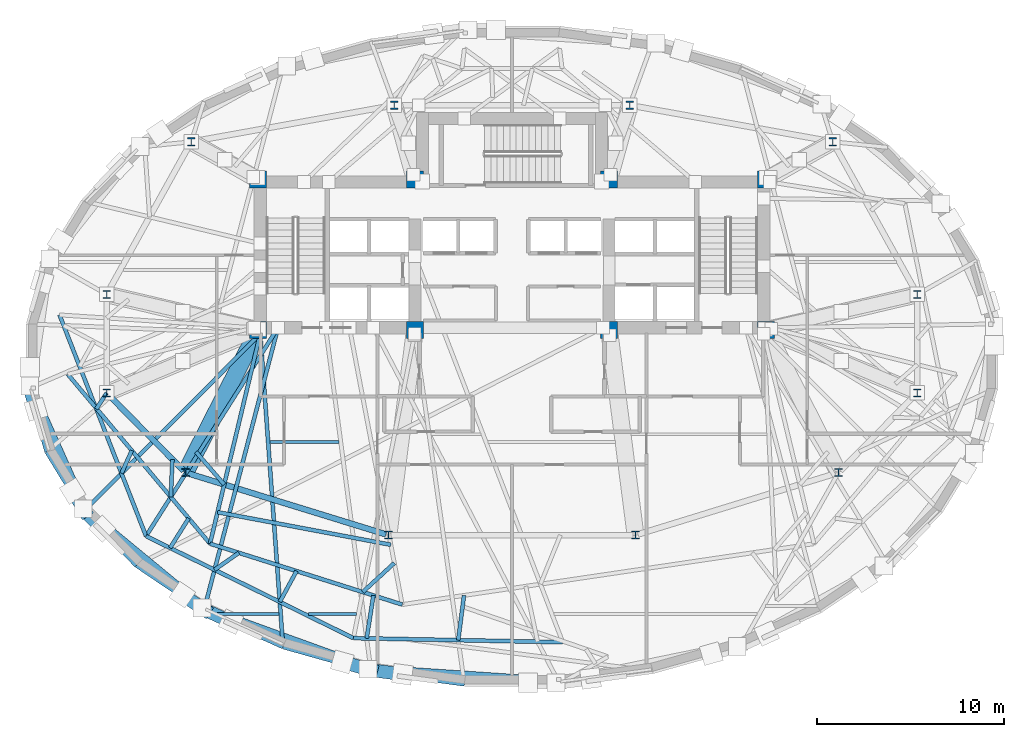
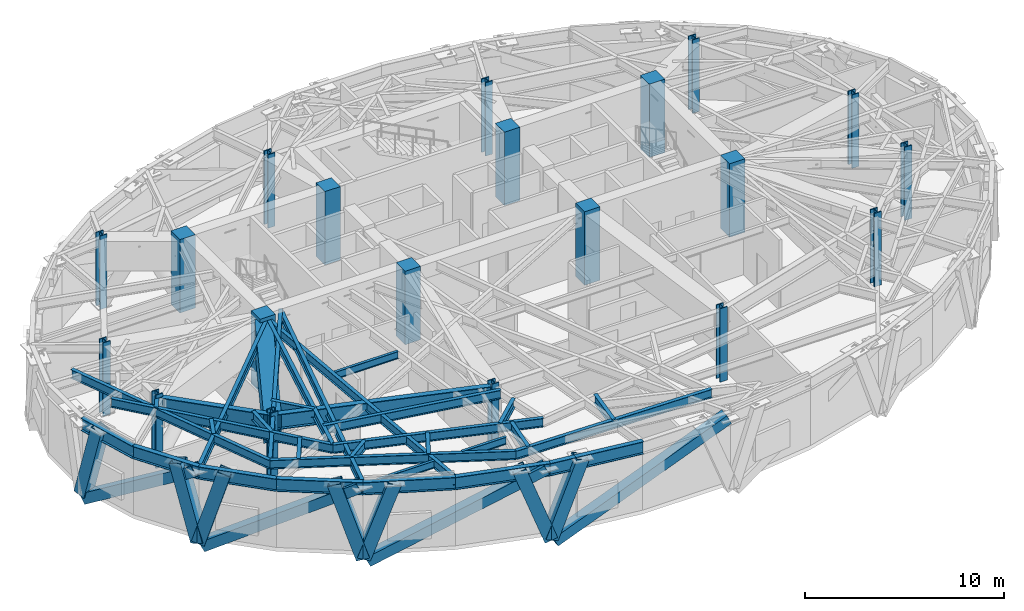
# One storey, part 1 of 13: 34 beams, 20 columns, 11 members.
"""IFC4 building model written with IfcOpenShell, lengths in metres."""

from ifc_helpers import new_model, si_unit, direction, frame, origin, origin_2d, place, context, subcontext, project, spatial, rectangle, hollow_rectangle, i_section, extrude, material, material_profile, profile_set, type_object, element, save


model = new_model("IFC4")

# Units and contexts
model_context = context("Model", 3, precision=1e-05, world=origin(), true_north=direction((0.0, 1.0)))
body_context = subcontext(model_context, "Body", "Model", "MODEL_VIEW")
ifc_project = project(units=[si_unit("LENGTHUNIT", "METRE"), si_unit("AREAUNIT", "SQUARE_METRE"), si_unit("VOLUMEUNIT", "CUBIC_METRE"), si_unit("PLANEANGLEUNIT", "RADIAN"), si_unit("MASSUNIT", "GRAM", prefix="KILO")], contexts=[model_context])

# Site, building, storey
site_placement = place(None, origin())
site = spatial("IfcSite", under=ifc_project, at=site_placement, CompositionType="ELEMENT")
building_placement = place(site_placement, origin())
building = spatial("IfcBuilding", under=site, at=building_placement, Name="Keldmark Tower", CompositionType="ELEMENT")
storey_placement = place(building_placement, frame((0.0, 0.0, 135.10009765625)))
storey = spatial("IfcBuildingStorey", under=building, at=storey_placement, Name="L36", CompositionType="ELEMENT", Elevation=135.10009765625)

# Columns
ifc_material_1 = material(Name="Concrete C50/60", Category="concrete")
ifc_material_profile_1 = material_profile(ifc_material_1, rectangle(XDim=0.89990234375, YDim=0.89990234375, at=origin_2d()), Name="RC900X900")
ifc_profile_set_1 = profile_set([ifc_material_profile_1], Name="Concrete C50/60")
column_type_1 = type_object("IfcColumnType", Name="Core Boundary Column RC900", PredefinedType="COLUMN", material=ifc_profile_set_1)
for number, where, z_axis, x_axis, name in (
    (1, (-13.60009765625, 1.39990234375, 0.0), (0.0, 0.0, 1.0), (1.0, 0.0, 0.0), "L36 Core Boundary Column CC-W1"),
    (2, (-13.60009765625, 9.449951171875, 0.0), (0.0, 0.0, 1.0), (1.0, 0.0, 0.0), "L36 Core Boundary Column CC-W2"),
    (3, (-5.199951171875, 1.39990234375, 0.0), (0.0, 0.0, 1.0), (1.0, 0.0, 0.0), "L36 Core Boundary Column CC-W3"),
    (4, (-5.199951171875, 9.449951171875, 0.0), (0.0, 0.0, 1.0), (1.0, 0.0, 0.0), "L36 Core Boundary Column CC-W4"),
    (5, (5.199951171875, 1.39990234375, 0.0), (0.0, 0.0, 1.0), (1.0, 0.0, 0.0), "L36 Core Boundary Column CC-E1"),
    (6, (5.199951171875, 9.449951171875, 0.0), (0.0, 0.0, 1.0), (1.0, 0.0, 0.0), "L36 Core Boundary Column CC-E2"),
    (7, (13.60009765625, 1.39990234375, 0.0), (0.0, 0.0, 1.0), (1.0, 0.0, 0.0), "L36 Core Boundary Column CC-E3"),
    (8, (13.60009765625, 9.449951171875, 0.0), (0.0, 0.0, 1.0), (1.0, 0.0, 0.0), "L36 Core Boundary Column CC-E4"),
):
    element("IfcColumn", number, at=place(storey_placement, frame(where, z_axis=z_axis, x_axis=x_axis)), inside=storey, type_object=column_type_1, Name=name, PredefinedType="COLUMN", context=body_context, shape_type="SweptSolid", body=[
        extrude(rectangle(XDim=0.89990234375, YDim=0.89990234375, at=origin_2d()), origin(), (0.0, 0.0, 1.0), 4.5),
    ])
ifc_material_2 = material(Name="Steel ASTM A992 Grade 50", Category="steel")
ifc_material_profile_2 = material_profile(ifc_material_2, i_section(OverallWidth=0.412109375, OverallDepth=0.43505859375, WebThickness=0.035888671875, FlangeThickness=0.057373046875, at=origin_2d()), Name="W14X311")
ifc_profile_set_2 = profile_set([ifc_material_profile_2], Name="Steel ASTM A992 Grade 50")
column_type_2 = type_object("IfcColumnType", Name="Tower Gravity Column W14X311", PredefinedType="COLUMN", material=ifc_profile_set_2)
for number, where, z_axis, x_axis, name in (
    (9, (21.697021484375, 3.309814453125, 0.0), (0.0, 0.0, 1.0), (1.0, 0.0, 0.0), "L36 Tower Gravity Column TC-E1"),
    (10, (17.1669921875, 11.478271484375, 0.0), (0.0, 0.0, 1.0), (1.0, 0.0, 0.0), "L36 Tower Gravity Column TC-E4"),
    (11, (6.298828125, 13.4326171875, 0.0), (0.0, 0.0, 1.0), (1.0, 0.0, 0.0), "L36 Tower Gravity Column TC-N2"),
    (12, (-6.298828125, 13.4326171875, 0.0), (0.0, 0.0, 1.0), (1.0, 0.0, 0.0), "L36 Tower Gravity Column TC-N1"),
    (13, (-17.1669921875, 11.478271484375, 0.0), (0.0, 0.0, 1.0), (1.0, 0.0, 0.0), "L36 Tower Gravity Column TC-W4"),
    (14, (-21.697021484375, 3.309814453125, 0.0), (0.0, 0.0, 1.0), (1.0, 0.0, 0.0), "L36 Tower Gravity Column TC-W1"),
    (15, (-21.697021484375, -1.9658203125, 0.0), (0.0, 0.0, 1.0), (1.0, 0.0, 0.0), "L36 Tower Gravity Column TC-W5"),
    (16, (-17.477294921875, -6.2294921875, 0.0), (0.0, 0.0, 1.0), (1.0, 0.0, 0.0), "L36 Tower Gravity Column TC-W2"),
    (17, (-6.61279296875, -9.579345703125, 0.0), (0.0, 0.0, 1.0), (1.0, 0.0, 0.0), "L36 Tower Gravity Column TC-W3"),
    (18, (6.61279296875, -9.579345703125, 0.0), (0.0, 0.0, 1.0), (1.0, 0.0, 0.0), "L36 Tower Gravity Column TC-E3"),
    (19, (17.477294921875, -6.2294921875, 0.0), (0.0, 0.0, 1.0), (1.0, 0.0, 0.0), "L36 Tower Gravity Column TC-E2"),
    (20, (21.697021484375, -1.9658203125, 0.0), (0.0, 0.0, 1.0), (1.0, 0.0, 0.0), "L36 Tower Gravity Column TC-E5"),
):
    element("IfcColumn", number, at=place(storey_placement, frame(where, z_axis=z_axis, x_axis=x_axis)), inside=storey, type_object=column_type_2, Name=name, PredefinedType="COLUMN", context=body_context, shape_type="SweptSolid", body=[
        extrude(i_section(OverallWidth=0.412109375, OverallDepth=0.43505859375, WebThickness=0.035888671875, FlangeThickness=0.057373046875, at=origin_2d()), origin(), (0.0, 0.0, 1.0), 4.5),
    ])

# Members
ifc_material_3 = material(Name="Steel ASTM A572 Grade 50", Category="steel")
ifc_material_profile_3 = material_profile(ifc_material_3, hollow_rectangle(XDim=0.60009765625, YDim=0.60009765625, WallThickness=0.034912109375, at=origin_2d()), Name="BOX600X600X35")
ifc_profile_set_3 = profile_set([ifc_material_profile_3], Name="Steel ASTM A572 Grade 50")
member_type_1 = type_object("IfcMemberType", Name="Belt Truss Diagonal Brace BOX600", PredefinedType="BRACE", material=ifc_profile_set_3)
member_1_placement = place(storey_placement, frame((-25.775390625, -1.856689453125, -0.5400390625), z_axis=(0.342162647454, -0.763640785008, 0.547519382451), x_axis=(0.912580273099, 0.408897597388, 0.0)))
element("IfcMember", 21, at=member_1_placement, inside=storey, type_object=member_type_1, Name="L36 Perimeter Belt Truss Brace 09", PredefinedType="BRACE", context=body_context, shape_type="SweptSolid", body=[
    extrude(hollow_rectangle(XDim=0.60009765625, YDim=0.60009765625, WallThickness=0.034912109375, at=origin_2d()), origin(), (0.0, 0.0, 1.0), 8.25537109375),
])
member_2_placement = place(storey_placement, frame((-22.763916015625, -8.392578125, -0.5400390625), z_axis=(0.671604255957, -0.554100077788, 0.491854477642), x_axis=(0.636401110122, 0.771358300037, 0.0)))
element("IfcMember", 22, at=member_2_placement, inside=storey, type_object=member_type_1, Name="L36 Perimeter Belt Truss Brace 10", PredefinedType="BRACE", context=body_context, shape_type="SweptSolid", body=[
    extrude(hollow_rectangle(XDim=0.60009765625, YDim=0.60009765625, WallThickness=0.034912109375, at=origin_2d()), origin(), (0.0, 0.0, 1.0), 9.189697265625),
])
member_3_placement = place(storey_placement, frame((-16.28662109375, -13.65087890625, -0.5400390625), z_axis=(0.84258412922, -0.30492721603, 0.443927221638), x_axis=(0.340296685426, 0.940318119515, 0.0)))
element("IfcMember", 23, at=member_3_placement, inside=storey, type_object=member_type_1, Name="L36 Perimeter Belt Truss Brace 11", PredefinedType="BRACE", context=body_context, shape_type="SweptSolid", body=[
    extrude(hollow_rectangle(XDim=0.60009765625, YDim=0.60009765625, WallThickness=0.034912109375, at=origin_2d()), origin(), (0.0, 0.0, 1.0), 10.181884765625),
])
member_4_placement = place(storey_placement, frame((-7.330078125, -16.830810546875, -0.5400390625), z_axis=(0.904448162584, -0.060241799636, 0.422308473483), x_axis=(0.066458883344, 0.997789164516, 0.0)))
element("IfcMember", 24, at=member_4_placement, inside=storey, type_object=member_type_1, Name="L36 Perimeter Belt Truss Brace 12", PredefinedType="BRACE", context=body_context, shape_type="SweptSolid", body=[
    extrude(hollow_rectangle(XDim=0.60009765625, YDim=0.60009765625, WallThickness=0.034912109375, at=origin_2d()), origin(), (0.0, 0.0, 1.0), 10.703125),
])

# Beams
ifc_material_4 = material(Name="Steel ASTM A992 Grade 50", Category="steel")
ifc_material_profile_4 = material_profile(ifc_material_4, i_section(OverallWidth=0.153076171875, OverallDepth=0.455078125, WebThickness=0.008056640625, FlangeThickness=0.01318359375, at=origin_2d()), Name="W18X40")
ifc_profile_set_4 = profile_set([ifc_material_profile_4], Name="Steel ASTM A992 Grade 50")
beam_type_1 = type_object("IfcBeamType", Name="Composite Floor Joist W18X40", PredefinedType="JOIST", material=ifc_profile_set_4)
beam_1_placement = place(storey_placement, frame((-15.78759765625, -13.800048828125, 4.052490234375), z_axis=(1.0, 0.0, 0.0), x_axis=(0.0, 1.0, 0.0)))
element("IfcBeam", 25, at=beam_1_placement, inside=storey, type_object=beam_type_1, Name="L36 Composite Floor Joist J01", PredefinedType="JOIST", context=body_context, shape_type="SweptSolid", body=[
    extrude(i_section(OverallWidth=0.153076171875, OverallDepth=0.455078125, WebThickness=0.008056640625, FlangeThickness=0.01318359375, at=origin_2d()), origin(), (0.0, 0.0, 1.0), 3.308349609375),
])
beam_2_placement = place(storey_placement, frame((-10.888916015625, -13.800048828125, 4.052490234375), z_axis=(1.0, 0.0, 0.0), x_axis=(0.0, 1.0, 0.0)))
element("IfcBeam", 26, at=beam_2_placement, inside=storey, type_object=beam_type_1, Name="L36 Composite Floor Joist J02", PredefinedType="JOIST", context=body_context, shape_type="SweptSolid", body=[
    extrude(i_section(OverallWidth=0.153076171875, OverallDepth=0.455078125, WebThickness=0.008056640625, FlangeThickness=0.01318359375, at=origin_2d()), origin(), (0.0, 0.0, 1.0), 2.563720703125),
])
beam_3_placement = place(storey_placement, frame((-12.95654296875, -4.60009765625, 4.052490234375), z_axis=(1.0, 0.0, 0.0), x_axis=(0.0, 1.0, 0.0)))
element("IfcBeam", 27, at=beam_3_placement, inside=storey, type_object=beam_type_1, Name="L36 Composite Floor Joist J05", PredefinedType="JOIST", context=body_context, shape_type="SweptSolid", body=[
    extrude(i_section(OverallWidth=0.153076171875, OverallDepth=0.455078125, WebThickness=0.008056640625, FlangeThickness=0.01318359375, at=origin_2d()), origin(), (0.0, 0.0, 1.0), 3.693359375),
])

# Members
ifc_material_5 = material(Name="Steel ASTM A572 Grade 50", Category="steel")
ifc_material_profile_5 = material_profile(ifc_material_5, hollow_rectangle(XDim=0.699951171875, YDim=0.699951171875, WallThickness=0.044921875, at=origin_2d()), Name="BOX700X700X45")
ifc_profile_set_5 = profile_set([ifc_material_profile_5], Name="Steel ASTM A572 Grade 50")
member_type_2 = type_object("IfcMemberType", Name="Diagrid Zone 2 Brace BOX700X700X45", PredefinedType="BRACE", material=ifc_profile_set_5)
member_5_placement = place(storey_placement, frame((-25.815185546875, -1.72119140625, -0.320068359375), z_axis=(0.071577130516, -0.243773364239, 0.967187293793), x_axis=(0.959494237083, 0.281728253829, 0.0)))
element("IfcMember", 28, at=member_5_placement, inside=storey, type_object=member_type_2, Name="L36 Perimeter Diagrid Brace 09A", PredefinedType="BRACE", context=body_context, shape_type="SweptSolid", body=[
    extrude(hollow_rectangle(XDim=0.699951171875, YDim=0.699951171875, WallThickness=0.044921875, at=origin_2d()), origin(), (0.0, 0.0, 1.0), 4.632080078125),
])
member_6_placement = place(storey_placement, frame((-22.87255859375, -8.28857421875, -0.320068359375), z_axis=(-0.139810250165, 0.228746999614, 0.963393950633), x_axis=(-0.853247945999, -0.521505457928, 0.0)))
element("IfcMember", 29, at=member_6_placement, inside=storey, type_object=member_type_2, Name="L36 Perimeter Diagrid Brace 09B", PredefinedType="BRACE", context=body_context, shape_type="SweptSolid", body=[
    extrude(hollow_rectangle(XDim=0.699951171875, YDim=0.699951171875, WallThickness=0.044921875, at=origin_2d()), origin(), (0.0, 0.0, 1.0), 4.650146484375),
])
member_7_placement = place(storey_placement, frame((-22.877197265625, -8.277587890625, -0.320068359375), z_axis=(0.201839733277, -0.204710482005, 0.957786166442), x_axis=(0.712082079642, 0.702096226918, 0.0)))
element("IfcMember", 30, at=member_7_placement, inside=storey, type_object=member_type_2, Name="L36 Perimeter Diagrid Brace 10A", PredefinedType="BRACE", context=body_context, shape_type="SweptSolid", body=[
    extrude(hollow_rectangle(XDim=0.699951171875, YDim=0.699951171875, WallThickness=0.044921875, at=origin_2d()), origin(), (0.0, 0.0, 1.0), 4.677490234375),
])
member_8_placement = place(storey_placement, frame((-16.44775390625, -13.582275390625, -0.320068359375), z_axis=(-0.255123346307, 0.172847233609, 0.951333754264), x_axis=(-0.560896502863, -0.82788592999, 0.0)))
element("IfcMember", 31, at=member_8_placement, inside=storey, type_object=member_type_2, Name="L36 Perimeter Diagrid Brace 10B", PredefinedType="BRACE", context=body_context, shape_type="SweptSolid", body=[
    extrude(hollow_rectangle(XDim=0.699951171875, YDim=0.699951171875, WallThickness=0.044921875, at=origin_2d()), origin(), (0.0, 0.0, 1.0), 4.709228515625),
])
member_9_placement = place(storey_placement, frame((-16.4560546875, -13.573974609375, -0.320068359375), z_axis=(0.297968595123, -0.134925288493, 0.944992001472), x_axis=(0.412497692818, 0.910958645285, 0.0)))
element("IfcMember", 32, at=member_9_placement, inside=storey, type_object=member_type_2, Name="L36 Perimeter Diagrid Brace 11A", PredefinedType="BRACE", context=body_context, shape_type="SweptSolid", body=[
    extrude(hollow_rectangle(XDim=0.699951171875, YDim=0.699951171875, WallThickness=0.044921875, at=origin_2d()), origin(), (0.0, 0.0, 1.0), 4.74072265625),
])
member_10_placement = place(storey_placement, frame((-7.51904296875, -16.808349609375, -0.320068359375), z_axis=(-0.329234184816, 0.092384269623, 0.939718041901), x_axis=(-0.270168711569, -0.96281299705, 0.0)))
element("IfcMember", 33, at=member_10_placement, inside=storey, type_object=member_type_2, Name="L36 Perimeter Diagrid Brace 11B", PredefinedType="BRACE", context=body_context, shape_type="SweptSolid", body=[
    extrude(hollow_rectangle(XDim=0.699951171875, YDim=0.699951171875, WallThickness=0.044921875, at=origin_2d()), origin(), (0.0, 0.0, 1.0), 4.767333984375),
])
member_11_placement = place(storey_placement, frame((-7.530029296875, -16.803955078125, -0.320068359375), z_axis=(0.34821903324, -0.04693941547, 0.936237254207), x_axis=(0.133590287898, 0.991036646638, 0.0)))
element("IfcMember", 34, at=member_11_placement, inside=storey, type_object=member_type_2, Name="L36 Perimeter Diagrid Brace 12A", PredefinedType="BRACE", context=body_context, shape_type="SweptSolid", body=[
    extrude(hollow_rectangle(XDim=0.699951171875, YDim=0.699951171875, WallThickness=0.044921875, at=origin_2d()), origin(), (0.0, 0.0, 1.0), 4.78515625),
])

# Beams
ifc_material_6 = material(Name="Steel ASTM A992 Grade 50", Category="steel")
ifc_material_profile_6 = material_profile(ifc_material_6, i_section(OverallWidth=0.31005859375, OverallDepth=0.931884765625, WebThickness=0.02099609375, FlangeThickness=0.034423828125, at=origin_2d()), Name="W36X210")
ifc_profile_set_6 = profile_set([ifc_material_profile_6], Name="Steel ASTM A992 Grade 50")
beam_type_2 = type_object("IfcBeamType", Name="Outrigger Chord Girder W36X210", PredefinedType="BEAM", material=ifc_profile_set_6)
beam_4_placement = place(storey_placement, frame((-21.598388671875, -2.0654296875, 3.81396484375), z_axis=(0.703425791323, -0.71076870788, 0.0), x_axis=(0.71076870788, 0.703425791323, 0.0)))
element("IfcBeam", 35, at=beam_4_placement, inside=storey, type_object=beam_type_2, Name="L36 Floor Ring Girder FG-R07", PredefinedType="BEAM", context=body_context, shape_type="SweptSolid", body=[
    extrude(i_section(OverallWidth=0.31005859375, OverallDepth=0.931884765625, WebThickness=0.02099609375, FlangeThickness=0.034423828125, at=origin_2d()), origin(), (0.0, 0.0, 1.0), 5.71875),
])
beam_5_placement = place(storey_placement, frame((-17.343505859375, -6.270751953125, 3.81396484375), z_axis=(0.955607954968, -0.294641199432, 0.0), x_axis=(0.294641199432, 0.955607954968, 0.0)))
element("IfcBeam", 36, at=beam_5_placement, inside=storey, type_object=beam_type_2, Name="L36 Floor Ring Girder FG-R08", PredefinedType="BEAM", context=body_context, shape_type="SweptSolid", body=[
    extrude(i_section(OverallWidth=0.31005859375, OverallDepth=0.931884765625, WebThickness=0.02099609375, FlangeThickness=0.034423828125, at=origin_2d()), origin(), (0.0, 0.0, 1.0), 11.089111328125),
])
ifc_material_7 = material(Name="Steel ASTM A572 Grade 50", Category="steel")
ifc_material_profile_7 = material_profile(ifc_material_7, hollow_rectangle(XDim=0.89990234375, YDim=1.800048828125, WallThickness=0.074951171875, at=origin_2d()), Name="TBOX1800X900X75")
ifc_profile_set_7 = profile_set([ifc_material_profile_7], Name="Steel ASTM A572 Grade 50")
beam_type_3 = type_object("IfcBeamType", Name="Perimeter Transfer Box Girder 1800x900", PredefinedType="USERDEFINED", material=ifc_profile_set_7)
beam_6_placement = place(storey_placement, frame((-17.477294921875, -6.2294921875, 3.3798828125), z_axis=(0.453055227468, 0.891482451237, 0.0), x_axis=(-0.891482451237, 0.453055227468, 0.0)))
element("IfcBeam", 37, at=beam_6_placement, inside=storey, type_object=beam_type_3, Name="L36 Upper Crown Transfer Box Girder UTB-TC-W2", ObjectType="TRANSFER GIRDER", PredefinedType="USERDEFINED", context=body_context, shape_type="SweptSolid", body=[
    extrude(hollow_rectangle(XDim=0.89990234375, YDim=1.800048828125, WallThickness=0.074951171875, at=origin_2d()), origin(), (0.0, 0.0, 1.0), 8.2783203125),
])
ifc_material_8 = material(Name="Steel ASTM A992 Grade 50", Category="steel")
ifc_material_profile_8 = material_profile(ifc_material_8, i_section(OverallWidth=0.2099609375, OverallDepth=0.537109375, WebThickness=0.010986328125, FlangeThickness=0.017333984375, at=origin_2d()), Name="W21X68")
ifc_profile_set_8 = profile_set([ifc_material_profile_8], Name="Steel ASTM A992 Grade 50")
beam_type_4 = type_object("IfcBeamType", Name="Radial Tie Girder W21X68", PredefinedType="BEAM", material=ifc_profile_set_8)
beam_7_placement = place(storey_placement, frame((-16.914794921875, -5.12255859375, 4.011474609375), z_axis=(0.653991620174, -0.756501791632, 0.0), x_axis=(0.756501791632, 0.653991620174, 0.0)))
element("IfcBeam", 38, at=beam_7_placement, inside=storey, type_object=beam_type_4, Name="L36 Framing Pin Header PH-004", PredefinedType="BEAM", context=body_context, shape_type="SweptSolid", body=[
    extrude(i_section(OverallWidth=0.2099609375, OverallDepth=0.537109375, WebThickness=0.010986328125, FlangeThickness=0.017333984375, at=origin_2d()), origin(), (0.0, 0.0, 1.0), 2.307861328125),
])
beam_8_placement = place(storey_placement, frame((-13.47509765625, 1.199951171875, 4.011474609375), z_axis=(-0.232712703301, -0.972545524756, 0.0), x_axis=(0.972545524756, -0.232712703301, 0.0)))
element("IfcBeam", 39, at=beam_8_placement, inside=storey, type_object=beam_type_4, Name="L36 Sub-Ring Step Girder STP1-M08", PredefinedType="BEAM", context=body_context, shape_type="SweptSolid", body=[
    extrude(i_section(OverallWidth=0.2099609375, OverallDepth=0.537109375, WebThickness=0.010986328125, FlangeThickness=0.017333984375, at=origin_2d()), origin(), (0.0, 0.0, 1.0), 11.552734375),
])
beam_9_placement = place(storey_placement, frame((-15.76025390625, -8.350341796875, 4.011474609375), z_axis=(0.982766602933, -0.184850761859, 0.0), x_axis=(0.184850761859, 0.982766602933, 0.0)))
element("IfcBeam", 40, at=beam_9_placement, inside=storey, type_object=beam_type_4, Name="L36 Framing Pin Header PH-005", PredefinedType="BEAM", context=body_context, shape_type="SweptSolid", body=[
    extrude(i_section(OverallWidth=0.2099609375, OverallDepth=0.537109375, WebThickness=0.010986328125, FlangeThickness=0.017333984375, at=origin_2d()), origin(), (0.0, 0.0, 1.0), 9.43798828125),
])
beam_10_placement = place(storey_placement, frame((-23.77490234375, -0.970458984375, 4.011474609375), z_axis=(0.643022287084, -0.76584746413, 0.0), x_axis=(0.76584746413, 0.643022287084, 0.0)))
element("IfcBeam", 41, at=beam_10_placement, inside=storey, type_object=beam_type_4, Name="L36 Perimeter Collector Ring Beam CRG1-M07", PredefinedType="BEAM", context=body_context, shape_type="SweptSolid", body=[
    extrude(i_section(OverallWidth=0.2099609375, OverallDepth=0.537109375, WebThickness=0.010986328125, FlangeThickness=0.017333984375, at=origin_2d()), origin(), (0.0, 0.0, 1.0), 11.8369140625),
])
beam_11_placement = place(storey_placement, frame((-16.16357421875, -10.03564453125, 4.011474609375), z_axis=(0.953322474323, -0.301954069272, 0.0), x_axis=(0.301954069272, 0.953322474323, 0.0)))
element("IfcBeam", 42, at=beam_11_placement, inside=storey, type_object=beam_type_4, Name="L36 Perimeter Collector Ring Beam CRG1-M08", PredefinedType="BEAM", context=body_context, shape_type="SweptSolid", body=[
    extrude(i_section(OverallWidth=0.2099609375, OverallDepth=0.537109375, WebThickness=0.010986328125, FlangeThickness=0.017333984375, at=origin_2d()), origin(), (0.0, 0.0, 1.0), 10.792236328125),
])
beam_12_placement = place(storey_placement, frame((-18.17919921875, -5.5205078125, 4.011474609375), z_axis=(-0.041026475563, -0.99915805972, 0.0), x_axis=(0.99915805972, -0.041026475563, 0.0)))
element("IfcBeam", 43, at=beam_12_placement, inside=storey, type_object=beam_type_4, Name="L36 Framing Pin Header PH-010", PredefinedType="BEAM", context=body_context, shape_type="SweptSolid", body=[
    extrude(i_section(OverallWidth=0.2099609375, OverallDepth=0.537109375, WebThickness=0.010986328125, FlangeThickness=0.017333984375, at=origin_2d()), origin(), (0.0, 0.0, 1.0), 2.017333984375),
])
beam_13_placement = place(storey_placement, frame((-12.52490234375, 1.52490234375, 4.011474609375), z_axis=(-0.534942978693, -0.844888163929, 0.0), x_axis=(0.844888163929, -0.534942978693, 0.0)))
element("IfcBeam", 44, at=beam_13_placement, inside=storey, type_object=beam_type_4, Name="L36 Sub-Ring Step Girder STP2-M08", PredefinedType="BEAM", context=body_context, shape_type="SweptSolid", body=[
    extrude(i_section(OverallWidth=0.2099609375, OverallDepth=0.537109375, WebThickness=0.010986328125, FlangeThickness=0.017333984375, at=origin_2d()), origin(), (0.0, 0.0, 1.0), 13.203369140625),
])
beam_14_placement = place(storey_placement, frame((-6.298583984375, -11.071533203125, 4.011474609375), z_axis=(-0.736606635244, -0.676321421303, 0.0), x_axis=(0.676321421303, -0.736606635244, 0.0)))
element("IfcBeam", 45, at=beam_14_placement, inside=storey, type_object=beam_type_4, Name="L36 Framing Pin Header PH-011", PredefinedType="BEAM", context=body_context, shape_type="SweptSolid", body=[
    extrude(i_section(OverallWidth=0.2099609375, OverallDepth=0.537109375, WebThickness=0.010986328125, FlangeThickness=0.017333984375, at=origin_2d()), origin(), (0.0, 0.0, 1.0), 2.296142578125),
])
beam_15_placement = place(storey_placement, frame((-24.221435546875, 2.211181640625, 4.011474609375), z_axis=(0.364392109318, -0.931245612428, 0.0), x_axis=(0.931245612428, 0.364392109318, 0.0)))
element("IfcBeam", 46, at=beam_15_placement, inside=storey, type_object=beam_type_4, Name="L36 Perimeter Collector Ring Beam CRG2-M07", PredefinedType="BEAM", context=body_context, shape_type="SweptSolid", body=[
    extrude(i_section(OverallWidth=0.2099609375, OverallDepth=0.537109375, WebThickness=0.010986328125, FlangeThickness=0.017333984375, at=origin_2d()), origin(), (0.0, 0.0, 1.0), 12.7158203125),
])
beam_16_placement = place(storey_placement, frame((-19.587890625, -9.63037109375, 4.011474609375), z_axis=(0.897289995685, -0.44144157444, 0.0), x_axis=(0.44144157444, 0.897289995685, 0.0)))
element("IfcBeam", 47, at=beam_16_placement, inside=storey, type_object=beam_type_4, Name="L36 Perimeter Collector Ring Beam CRG2-M08", PredefinedType="BEAM", context=body_context, shape_type="SweptSolid", body=[
    extrude(i_section(OverallWidth=0.2099609375, OverallDepth=0.537109375, WebThickness=0.010986328125, FlangeThickness=0.017333984375, at=origin_2d()), origin(), (0.0, 0.0, 1.0), 12.37060546875),
])
beam_17_placement = place(storey_placement, frame((-8.48779296875, -15.09130859375, 4.011474609375), z_axis=(0.999810250803, -0.01947979436, 0.0), x_axis=(0.01947979436, 0.999810250803, 0.0)))
element("IfcBeam", 48, at=beam_17_placement, inside=storey, type_object=beam_type_4, Name="L36 Perimeter Collector Ring Beam CRG2-M09", PredefinedType="BEAM", context=body_context, shape_type="SweptSolid", body=[
    extrude(i_section(OverallWidth=0.2099609375, OverallDepth=0.537109375, WebThickness=0.010986328125, FlangeThickness=0.017333984375, at=origin_2d()), origin(), (0.0, 0.0, 1.0), 11.20458984375),
])
beam_18_placement = place(storey_placement, frame((-21.697021484375, -1.9658203125, 4.011474609375), z_axis=(-0.54239896522, -0.840121040403, 0.0), x_axis=(0.840121040403, -0.54239896522, 0.0)))
element("IfcBeam", 49, at=beam_18_placement, inside=storey, type_object=beam_type_4, Name="L36 Framing Pin Header PH-024", PredefinedType="BEAM", context=body_context, shape_type="SweptSolid", body=[
    extrude(i_section(OverallWidth=0.2099609375, OverallDepth=0.537109375, WebThickness=0.010986328125, FlangeThickness=0.017333984375, at=origin_2d()), origin(), (0.0, 0.0, 1.0), 1.021728515625),
])
beam_19_placement = place(storey_placement, frame((-20.349609375, -5.0498046875, 4.011474609375), z_axis=(-0.413638045924, -0.910441413252, 0.0), x_axis=(0.910441413252, -0.413638045924, 0.0)))
element("IfcBeam", 50, at=beam_19_placement, inside=storey, type_object=beam_type_4, Name="L36 Framing Pin Header PH-025", PredefinedType="BEAM", context=body_context, shape_type="SweptSolid", body=[
    extrude(i_section(OverallWidth=0.2099609375, OverallDepth=0.537109375, WebThickness=0.010986328125, FlangeThickness=0.017333984375, at=origin_2d()), origin(), (0.0, 0.0, 1.0), 1.338623046875),
])
beam_20_placement = place(storey_placement, frame((-13.47509765625, 1.199951171875, 4.011474609375), z_axis=(-0.705201322543, -0.709007118923, 0.0), x_axis=(0.709007118923, -0.705201322543, 0.0)))
element("IfcBeam", 51, at=beam_20_placement, inside=storey, type_object=beam_type_4, Name="L36 Perimeter Radial Tie Girder RT-19", PredefinedType="BEAM", context=body_context, shape_type="SweptSolid", body=[
    extrude(i_section(OverallWidth=0.2099609375, OverallDepth=0.537109375, WebThickness=0.010986328125, FlangeThickness=0.017333984375, at=origin_2d()), origin(), (0.0, 0.0, 1.0), 13.4072265625),
])
beam_21_placement = place(storey_placement, frame((-17.30517578125, -8.67578125, 4.011474609375), z_axis=(-0.531216141349, -0.847236337258, 0.0), x_axis=(0.847236337258, -0.531216141349, 0.0)))
element("IfcBeam", 52, at=beam_21_placement, inside=storey, type_object=beam_type_4, Name="L36 Framing Pin Header PH-026", PredefinedType="BEAM", context=body_context, shape_type="SweptSolid", body=[
    extrude(i_section(OverallWidth=0.2099609375, OverallDepth=0.537109375, WebThickness=0.010986328125, FlangeThickness=0.017333984375, at=origin_2d()), origin(), (0.0, 0.0, 1.0), 1.874267578125),
])
beam_22_placement = place(storey_placement, frame((-14.6201171875, -10.5244140625, 4.011474609375), z_axis=(-0.819520754432, -0.573049503146, 0.0), x_axis=(0.573049503146, -0.819520754432, 0.0)))
element("IfcBeam", 53, at=beam_22_placement, inside=storey, type_object=beam_type_4, Name="L36 Framing Pin Header PH-027", PredefinedType="BEAM", context=body_context, shape_type="SweptSolid", body=[
    extrude(i_section(OverallWidth=0.2099609375, OverallDepth=0.537109375, WebThickness=0.010986328125, FlangeThickness=0.017333984375, at=origin_2d()), origin(), (0.0, 0.0, 1.0), 1.587890625),
])
beam_23_placement = place(storey_placement, frame((-12.52490234375, 1.52490234375, 4.011474609375), z_axis=(-0.253516082697, -0.967331171737, 0.0), x_axis=(0.967331171737, -0.253516082697, 0.0)))
element("IfcBeam", 54, at=beam_23_placement, inside=storey, type_object=beam_type_4, Name="L36 Perimeter Radial Tie Girder RT-21", PredefinedType="BEAM", context=body_context, shape_type="SweptSolid", body=[
    extrude(i_section(OverallWidth=0.2099609375, OverallDepth=0.537109375, WebThickness=0.010986328125, FlangeThickness=0.017333984375, at=origin_2d()), origin(), (0.0, 0.0, 1.0), 15.65673828125),
])
beam_24_placement = place(storey_placement, frame((-11.53369140625, -11.502197265625, 4.011474609375), z_axis=(-0.477484950835, -0.878639927232, 0.0), x_axis=(0.878639927232, -0.477484950835, 0.0)))
element("IfcBeam", 55, at=beam_24_placement, inside=storey, type_object=beam_type_4, Name="L36 Framing Pin Header PH-028", PredefinedType="BEAM", context=body_context, shape_type="SweptSolid", body=[
    extrude(i_section(OverallWidth=0.2099609375, OverallDepth=0.537109375, WebThickness=0.010986328125, FlangeThickness=0.017333984375, at=origin_2d()), origin(), (0.0, 0.0, 1.0), 1.87744140625),
])
beam_25_placement = place(storey_placement, frame((-13.47509765625, 1.199951171875, 4.011474609375), z_axis=(0.072614620994, -0.997360073804, 0.0), x_axis=(0.997360073804, 0.072614620994, 0.0)))
element("IfcBeam", 56, at=beam_25_placement, inside=storey, type_object=beam_type_4, Name="L36 Perimeter Radial Tie Girder RT-22", PredefinedType="BEAM", context=body_context, shape_type="SweptSolid", body=[
    extrude(i_section(OverallWidth=0.2099609375, OverallDepth=0.537109375, WebThickness=0.010986328125, FlangeThickness=0.017333984375, at=origin_2d()), origin(), (0.0, 0.0, 1.0), 16.78369140625),
])
beam_26_placement = place(storey_placement, frame((-7.418212890625, -12.8056640625, 4.011474609375), z_axis=(-0.155138391665, -0.987892746927, 0.0), x_axis=(0.987892746927, -0.155138391665, 0.0)))
element("IfcBeam", 57, at=beam_26_placement, inside=storey, type_object=beam_type_4, Name="L36 Framing Pin Header PH-029", PredefinedType="BEAM", context=body_context, shape_type="SweptSolid", body=[
    extrude(i_section(OverallWidth=0.2099609375, OverallDepth=0.537109375, WebThickness=0.010986328125, FlangeThickness=0.017333984375, at=origin_2d()), origin(), (0.0, 0.0, 1.0), 2.327392578125),
])
beam_27_placement = place(storey_placement, frame((-2.569091796875, -12.8056640625, 4.011474609375), z_axis=(-0.128288893973, -0.991736839934, 0.0), x_axis=(0.991736839934, -0.128288893973, 0.0)))
element("IfcBeam", 58, at=beam_27_placement, inside=storey, type_object=beam_type_4, Name="L36 Framing Pin Header PH-030", PredefinedType="BEAM", context=body_context, shape_type="SweptSolid", body=[
    extrude(i_section(OverallWidth=0.2099609375, OverallDepth=0.537109375, WebThickness=0.010986328125, FlangeThickness=0.017333984375, at=origin_2d()), origin(), (0.0, 0.0, 1.0), 2.4150390625),
])
ifc_material_9 = material(Name="Steel ASTM A992 Grade 50", Category="steel")
ifc_material_profile_9 = material_profile(ifc_material_9, i_section(OverallWidth=0.26806640625, OverallDepth=0.77001953125, WebThickness=0.015625, FlangeThickness=0.025390625, at=origin_2d()), Name="W30X132")
ifc_profile_set_9 = profile_set([ifc_material_profile_9], Name="Steel ASTM A992 Grade 50")
beam_type_5 = type_object("IfcBeamType", Name="Spandrel Ring Beam W30X132", PredefinedType="SPANDREL", material=ifc_profile_set_9)
beam_28_placement = place(storey_placement, frame((-25.874755859375, -1.72705078125, 3.89501953125), z_axis=(0.281645899487, -0.959518414259, 0.0), x_axis=(0.959518414259, 0.281645899487, 0.0)))
element("IfcBeam", 59, at=beam_28_placement, inside=storey, type_object=beam_type_5, Name="L36 Perimeter Spandrel Ring Beam SRB-17", PredefinedType="SPANDREL", context=body_context, shape_type="SweptSolid", body=[
    extrude(i_section(OverallWidth=0.26806640625, OverallDepth=0.77001953125, WebThickness=0.015625, FlangeThickness=0.025390625, at=origin_2d()), origin(), (0.0, 0.0, 1.0), 3.530517578125),
])
beam_29_placement = place(storey_placement, frame((-24.88037109375, -5.11474609375, 3.89501953125), z_axis=(0.521505457928, -0.853247945999, 0.0), x_axis=(0.853247945999, 0.521505457928, 0.0)))
element("IfcBeam", 60, at=beam_29_placement, inside=storey, type_object=beam_type_5, Name="L36 Perimeter Spandrel Ring Beam SRB-18", PredefinedType="SPANDREL", context=body_context, shape_type="SweptSolid", body=[
    extrude(i_section(OverallWidth=0.26806640625, OverallDepth=0.77001953125, WebThickness=0.015625, FlangeThickness=0.025390625, at=origin_2d()), origin(), (0.0, 0.0, 1.0), 3.739990234375),
])
beam_30_placement = place(storey_placement, frame((-22.929931640625, -8.305908203125, 3.89501953125), z_axis=(0.702064671311, -0.712113191352, 0.0), x_axis=(0.712113191352, 0.702064671311, 0.0)))
element("IfcBeam", 61, at=beam_30_placement, inside=storey, type_object=beam_type_5, Name="L36 Perimeter Spandrel Ring Beam SRB-19", PredefinedType="SPANDREL", context=body_context, shape_type="SweptSolid", body=[
    extrude(i_section(OverallWidth=0.26806640625, OverallDepth=0.77001953125, WebThickness=0.015625, FlangeThickness=0.025390625, at=origin_2d()), origin(), (0.0, 0.0, 1.0), 4.033203125),
])
beam_31_placement = place(storey_placement, frame((-20.098388671875, -11.177978515625, 3.89501953125), z_axis=(0.827833848723, -0.560973367379, 0.0), x_axis=(0.560973367379, 0.827833848723, 0.0)))
element("IfcBeam", 62, at=beam_31_placement, inside=storey, type_object=beam_type_5, Name="L36 Perimeter Spandrel Ring Beam SRB-20", PredefinedType="SPANDREL", context=body_context, shape_type="SweptSolid", body=[
    extrude(i_section(OverallWidth=0.26806640625, OverallDepth=0.77001953125, WebThickness=0.015625, FlangeThickness=0.025390625, at=origin_2d()), origin(), (0.0, 0.0, 1.0), 4.353759765625),
])
beam_32_placement = place(storey_placement, frame((-16.494140625, -13.620361328125, 3.89501953125), z_axis=(0.910938924115, -0.412541242221, 0.0), x_axis=(0.412541242221, 0.910938924115, 0.0)))
element("IfcBeam", 63, at=beam_32_placement, inside=storey, type_object=beam_type_5, Name="L36 Perimeter Spandrel Ring Beam SRB-21", PredefinedType="SPANDREL", context=body_context, shape_type="SweptSolid", body=[
    extrude(i_section(OverallWidth=0.26806640625, OverallDepth=0.77001953125, WebThickness=0.015625, FlangeThickness=0.025390625, at=origin_2d()), origin(), (0.0, 0.0, 1.0), 4.652099609375),
])
beam_33_placement = place(storey_placement, frame((-12.25634765625, -15.53955078125, 3.89501953125), z_axis=(0.962790668442, -0.270248272446, 0.0), x_axis=(0.270248272446, 0.962790668442, 0.0)))
element("IfcBeam", 64, at=beam_33_placement, inside=storey, type_object=beam_type_5, Name="L36 Perimeter Spandrel Ring Beam SRB-22", PredefinedType="SPANDREL", context=body_context, shape_type="SweptSolid", body=[
    extrude(i_section(OverallWidth=0.26806640625, OverallDepth=0.77001953125, WebThickness=0.015625, FlangeThickness=0.025390625, at=origin_2d()), origin(), (0.0, 0.0, 1.0), 4.890869140625),
])
beam_34_placement = place(storey_placement, frame((-7.54736328125, -16.861328125, 3.89501953125), z_axis=(0.99103751038, -0.133583880086, 0.0), x_axis=(0.133583880086, 0.99103751038, 0.0)))
element("IfcBeam", 65, at=beam_34_placement, inside=storey, type_object=beam_type_5, Name="L36 Perimeter Spandrel Ring Beam SRB-23", PredefinedType="SPANDREL", context=body_context, shape_type="SweptSolid", body=[
    extrude(i_section(OverallWidth=0.26806640625, OverallDepth=0.77001953125, WebThickness=0.015625, FlangeThickness=0.025390625, at=origin_2d()), origin(), (0.0, 0.0, 1.0), 5.044189453125),
])

save(model, "model.ifc")
